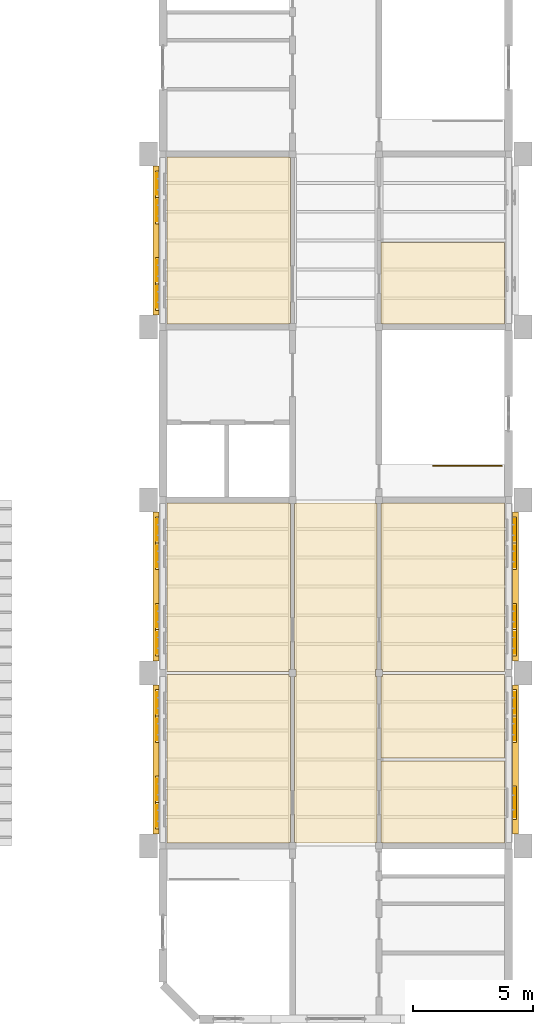
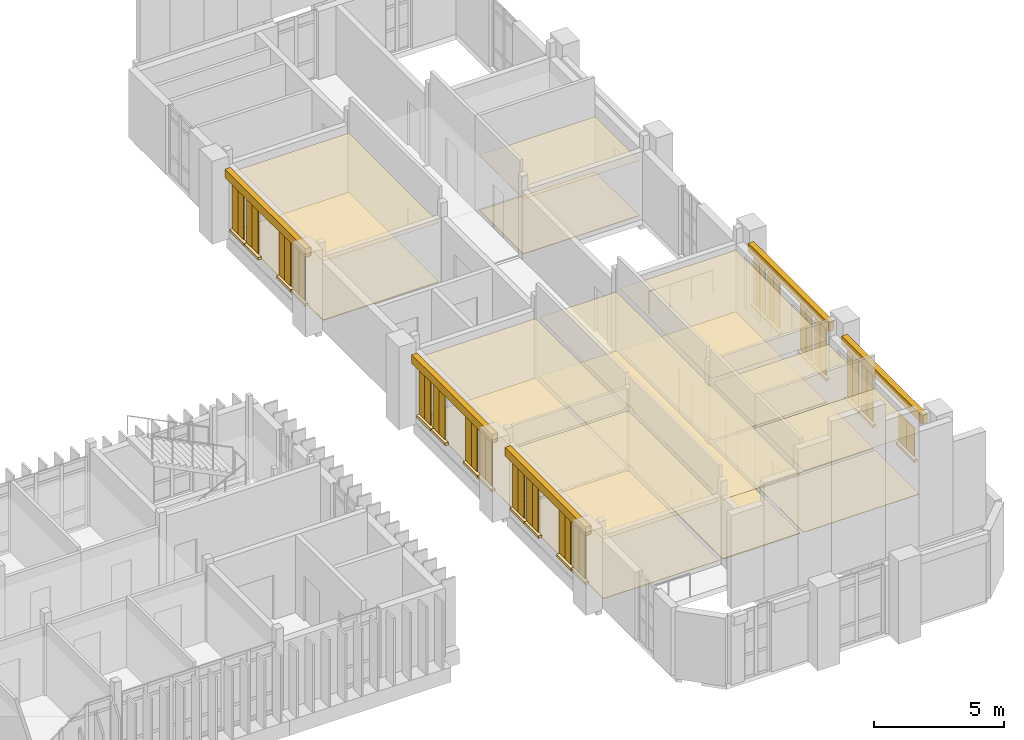
# One storey, part 66 of 71: 78 coverings, 1 railing.
"""IFC4 building model written with IfcOpenShell, lengths in metres."""

import ifcopenshell
import ifcopenshell.guid

model = None  # the IFC model being written
_history = None  # IfcOwnerHistory: only IFC2X3 demands one
_inside = {}  # id of a spatial element -> (the spatial element, [elements in it])
_under = {}  # id of a project, library or spatial element -> (it, [spatial elements below it])
_declared = {}  # id of a project -> (the project, [libraries it declares])
_typed = {}  # id of a type object -> (the type object, [elements of that type])
_made_of = {}  # id of a material, layer set ... -> (it, [elements and type objects made of it])


def new_model(schema):
    """Start an empty IFC model of exactly this schema.

    Asked for "IFC4X3", IfcOpenShell would pick the latest addendum, in which some entities
    have other attributes; the version numbers below select the first issue.
    IFC2X3 requires an IfcOwnerHistory on every rooted entity: one is made here for all.
    """
    global model, _history
    if schema == "IFC4X3":
        model = ifcopenshell.file(schema_version=(4, 3, 0, 0))
    else:
        model = ifcopenshell.file(schema=schema)
    _inside.clear()
    _under.clear()
    _declared.clear()
    _typed.clear()
    _made_of.clear()
    _history = None
    if model.schema == "IFC2X3":
        org = make("IfcOrganization", Name="unknown")
        user = make(
            "IfcPersonAndOrganization",
            ThePerson=make("IfcPerson", FamilyName="unknown"),
            TheOrganization=org,
        )
        app = make(
            "IfcApplication",
            ApplicationDeveloper=org,
            Version="unknown",
            ApplicationFullName="unknown",
            ApplicationIdentifier="unknown",
        )
        _history = make(
            "IfcOwnerHistory",
            OwningUser=user,
            OwningApplication=app,
            ChangeAction="ADDED",
            CreationDate=0,
        )
    return model


def make(cls, **values):
    """One entity of the class cls with the attributes given. An attribute that is None is left unset."""
    return model.create_entity(
        cls, **{name: value for name, value in values.items() if value is not None}
    )


def rooted(cls, **values):
    """An entity with a GlobalId (a new one), such as an element, a storey or a relation."""
    return make(cls, GlobalId=ifcopenshell.guid.new(), OwnerHistory=_history, **values)


def si_unit(unit_type, name, prefix=None):
    """IfcSIUnit, for example si_unit("LENGTHUNIT", "METRE", prefix="MILLI")."""
    return make("IfcSIUnit", UnitType=unit_type, Prefix=prefix, Name=name)


def assignment(units):
    """IfcUnitAssignment: the units of a project."""
    return None if units is None else make("IfcUnitAssignment", Units=units)


def point(xyz):
    """IfcCartesianPoint."""
    return None if xyz is None else make("IfcCartesianPoint", Coordinates=xyz)


def direction(xyz):
    """IfcDirection."""
    return None if xyz is None else make("IfcDirection", DirectionRatios=xyz)


def frame(location, z_axis=None, x_axis=None):
    """IfcAxis2Placement3D, a coordinate frame: its origin and axes. An axis left out is left unset."""
    return make(
        "IfcAxis2Placement3D",
        Location=point(location),
        Axis=direction(z_axis),
        RefDirection=direction(x_axis),
    )


def frame_2d(location, x_axis=None):
    """IfcAxis2Placement2D, a coordinate frame in the plane: its origin and x axis."""
    return make(
        "IfcAxis2Placement2D", Location=point(location), RefDirection=direction(x_axis)
    )


def origin():
    """The frame at (0, 0, 0) with its axes left unset."""
    return frame((0.0, 0.0, 0.0))


def origin_2d():
    """The frame at (0, 0) in the plane with its x axis left unset."""
    return frame_2d((0.0, 0.0))


def place(relative_to, where):
    """IfcLocalPlacement: puts the frame where relative to a parent placement (None: the world)."""
    return make(
        "IfcLocalPlacement", PlacementRelTo=relative_to, RelativePlacement=where
    )


def context(
    kind, dimensions, precision=None, world=None, true_north=None, identifier=None
):
    """IfcGeometricRepresentationContext, for example the 3D "Model" context."""
    return make(
        "IfcGeometricRepresentationContext",
        ContextIdentifier=identifier,
        ContextType=kind,
        CoordinateSpaceDimension=dimensions,
        Precision=precision,
        WorldCoordinateSystem=world,
        TrueNorth=true_north,
    )


def subcontext(parent, identifier, kind, view, scale=None):
    """IfcGeometricRepresentationSubContext, for example "Body" below "Model"."""
    return make(
        "IfcGeometricRepresentationSubContext",
        ContextIdentifier=identifier,
        ContextType=kind,
        ParentContext=parent,
        TargetScale=scale,
        TargetView=view,
    )


def project(units=None, contexts=None):
    """IfcProject with its units and contexts."""
    return rooted(
        "IfcProject",
        Name="project",
        RepresentationContexts=contexts,
        UnitsInContext=assignment(units),
    )


def spatial(cls, under=None, at=None, **own):
    """A site, building, storey or space (cls), placed at a placement, below another one or the project."""
    s = rooted(cls, ObjectPlacement=at, **own)
    if under is not None:
        _under.setdefault(under.id(), (under, []))[1].append(s)
    return s


def polyline(points):
    """IfcPolyline through the points."""
    return make("IfcPolyline", Points=[point(p) for p in points])


def profile(cls, at=None, kind="AREA", **sizes):
    """A parametric profile (cls). Its sizes go by their IFC names, for example OverallWidth=200.0."""
    return make(cls, ProfileType=kind, Position=at, **sizes)


def rectangle(**sizes):
    """IfcRectangleProfileDef."""
    return profile("IfcRectangleProfileDef", **sizes)


def circle(**sizes):
    """IfcCircleProfileDef."""
    return profile("IfcCircleProfileDef", **sizes)


def outline(outer, holes=None, kind="AREA"):
    """IfcArbitraryClosedProfileDef: a profile drawn as a closed curve; with holes, ...WithVoids."""
    if holes is None:
        return make("IfcArbitraryClosedProfileDef", ProfileType=kind, OuterCurve=outer)
    return make(
        "IfcArbitraryProfileDefWithVoids",
        ProfileType=kind,
        OuterCurve=outer,
        InnerCurves=holes,
    )


def extrude(swept, where, along, depth):
    """IfcExtrudedAreaSolid: the profile swept, set in the frame where, extruded along a direction by depth."""
    return make(
        "IfcExtrudedAreaSolid",
        SweptArea=swept,
        Position=where,
        ExtrudedDirection=direction(along),
        Depth=depth,
    )


def shape(context_of_items, identifier, shape_type, items):
    """IfcShapeRepresentation: the items that make up one representation, for example the "Body"."""
    return make(
        "IfcShapeRepresentation",
        ContextOfItems=context_of_items,
        RepresentationIdentifier=identifier,
        RepresentationType=shape_type,
        Items=items,
    )


def material(Name=None, Category=None):
    """IfcMaterial."""
    return make("IfcMaterial", Name=Name, Category=Category)


def layer(
    of_material, thickness, ventilated=None, Name=None, Category=None, Priority=None
):
    """IfcMaterialLayer: one layer of a wall or slab, of a material (None: an air gap)."""
    return make(
        "IfcMaterialLayer",
        Material=of_material,
        LayerThickness=thickness,
        IsVentilated=ventilated,
        Name=Name,
        Category=Category,
        Priority=Priority,
    )


def layer_set(layers, Name=None):
    """IfcMaterialLayerSet."""
    return make("IfcMaterialLayerSet", MaterialLayers=layers, LayerSetName=Name)


def made_of(thing, what):
    """Note that an element or type object is made of a material, layer set ...; save() writes the relation."""
    if what is not None:
        _made_of.setdefault(what.id(), (what, []))[1].append(thing)
    return thing


def type_object(cls, material=None, **own):
    """A type object (cls), such as IfcWallType, which elements share."""
    return made_of(rooted(cls, **own), material)


def element(
    cls,
    number,
    at=None,
    inside=None,
    cuts=None,
    type_object=None,
    material=None,
    context=None,
    identifier="Body",
    shape_type=None,
    held_by="IfcProductDefinitionShape",
    body=None,
    shapes=None,
    **own,
):
    """One element of the class cls, such as IfcWall. Its Tag is "e" and its number.

    at: its placement. inside: the storey or other place that contains it. cuts: it is an
    opening in that element (IfcRelVoidsElement). A single representation is given by context,
    identifier, shape_type and body (its items); several are given by shapes. held_by: the class
    of the entity that holds the representations. save() writes the other relations.
    """
    e = rooted(cls, Tag="e%d" % number, ObjectPlacement=at, **own)
    if body is not None:
        shapes = [shape(context, identifier, shape_type, body)]
    if shapes is not None:
        e.Representation = make(held_by, Representations=shapes)
    if inside is not None:
        _inside.setdefault(inside.id(), (inside, []))[1].append(e)
    if cuts is not None:
        rooted(
            "IfcRelVoidsElement", RelatingBuildingElement=cuts, RelatedOpeningElement=e
        )
    if type_object is not None:
        _typed.setdefault(type_object.id(), (type_object, []))[1].append(e)
    return made_of(e, material)


def aggregate(whole, parts):
    """IfcRelAggregates: a whole, such as a stair, and the parts it consists of."""
    return rooted("IfcRelAggregates", RelatingObject=whole, RelatedObjects=parts)


def save(model, path):
    """Write the relations noted so far, then the file.

    IfcRelAggregates (storeys below a building ...), IfcRelContainedInSpatialStructure (elements
    in a storey), IfcRelDefinesByType, IfcRelAssociatesMaterial and IfcRelDeclares: one each for
    every whole, place, type object, material and project.
    """
    for whole, parts in _under.values():
        aggregate(whole, parts)
    for where, things in _inside.values():
        rooted(
            "IfcRelContainedInSpatialStructure",
            RelatedElements=things,
            RelatingStructure=where,
        )
    for kind, things in _typed.values():
        rooted("IfcRelDefinesByType", RelatedObjects=things, RelatingType=kind)
    for what, things in _made_of.values():
        rooted("IfcRelAssociatesMaterial", RelatedObjects=things, RelatingMaterial=what)
    for by, libraries in _declared.values():
        rooted("IfcRelDeclares", RelatingContext=by, RelatedDefinitions=libraries)
    model.write(path)


model = new_model("IFC4")

# Units and contexts
model_context = context("Model", 3, precision=1e-05, world=origin(), true_north=direction((0.0, 1.0)))
body_context = subcontext(model_context, "Body", "Model", "MODEL_VIEW")
ifc_project = project(units=[si_unit("LENGTHUNIT", "METRE"), si_unit("AREAUNIT", "SQUARE_METRE"), si_unit("VOLUMEUNIT", "CUBIC_METRE"), si_unit("PLANEANGLEUNIT", "RADIAN"), si_unit("MASSUNIT", "GRAM", prefix="KILO")], contexts=[model_context])

# Site, building, storey
site_placement = place(None, origin())
site = spatial("IfcSite", under=ifc_project, at=site_placement, CompositionType="ELEMENT")
building_placement = place(site_placement, origin())
building = spatial("IfcBuilding", under=site, at=building_placement, Name="Mazhai Court Health Centre", CompositionType="ELEMENT")
storey_placement = place(building_placement, frame((0.0, 0.0, 10.199951171875)))
storey = spatial("IfcBuildingStorey", under=building, at=storey_placement, Name="L02", CompositionType="ELEMENT", Elevation=10.199951171875)

# Coverings
ifc_material_1 = material(Name="Clay brick masonry", Category="masonry")
ifc_layer_1 = layer(ifc_material_1, 0.25)
ifc_layer_set_1 = layer_set([ifc_layer_1], Name="BRICK BAND 250")
covering_type_1 = type_object("IfcCoveringType", Name="BRICK BAND 250", PredefinedType="MOLDING", material=ifc_layer_set_1)
covering_1_placement = place(storey_placement, frame((0.0, 0.0, 2.949951171875)))
element("IfcCovering", 1, at=covering_1_placement, inside=storey, type_object=covering_type_1, Name="EB-V6-L02-A1p0-0", PredefinedType="MOLDING", context=body_context, shape_type="SweptSolid", body=[
    extrude(outline(polyline([(135.635009765625, 13.89990234375), (135.635009765625, 20.10009765625), (135.385009765625, 20.10009765625), (135.385009765625, 13.89990234375), (135.635009765625, 13.89990234375)])), origin(), (0.0, 0.0, 1.0), 0.400146484375),
])
covering_2_placement = place(storey_placement, frame((0.0, 0.0, 2.949951171875)))
element("IfcCovering", 2, at=covering_2_placement, inside=storey, type_object=covering_type_1, Name="EB-V6-L02-A2p0-0", PredefinedType="MOLDING", context=body_context, shape_type="SweptSolid", body=[
    extrude(outline(polyline([(135.635009765625, 21.10009765625), (135.635009765625, 27.300048828125), (135.385009765625, 27.300048828125), (135.385009765625, 21.10009765625), (135.635009765625, 21.10009765625)])), origin(), (0.0, 0.0, 1.0), 0.400146484375),
])
covering_3_placement = place(storey_placement, frame((0.0, 0.0, 2.949951171875)))
element("IfcCovering", 3, at=covering_3_placement, inside=storey, type_object=covering_type_1, Name="EB-V6-L02-A4p0-0", PredefinedType="MOLDING", context=body_context, shape_type="SweptSolid", body=[
    extrude(outline(polyline([(135.635009765625, 35.5), (135.635009765625, 41.699951171875), (135.385009765625, 41.699951171875), (135.385009765625, 35.5), (135.635009765625, 35.5)])), origin(), (0.0, 0.0, 1.0), 0.400146484375),
])
covering_4_placement = place(storey_placement, frame((0.0, 0.0, 2.949951171875)))
element("IfcCovering", 4, at=covering_4_placement, inside=storey, type_object=covering_type_1, Name="EB-V6-L02-B1p0-0", PredefinedType="MOLDING", context=body_context, shape_type="SweptSolid", body=[
    extrude(outline(polyline([(150.364990234375, 20.10009765625), (150.364990234375, 13.89990234375), (150.614990234375, 13.89990234375), (150.614990234375, 20.10009765625), (150.364990234375, 20.10009765625)])), origin(), (0.0, 0.0, 1.0), 0.400146484375),
])
covering_5_placement = place(storey_placement, frame((0.0, 0.0, 2.949951171875)))
element("IfcCovering", 5, at=covering_5_placement, inside=storey, type_object=covering_type_1, Name="EB-V6-L02-B2p0-0", PredefinedType="MOLDING", context=body_context, shape_type="SweptSolid", body=[
    extrude(outline(polyline([(150.364990234375, 27.300048828125), (150.364990234375, 21.10009765625), (150.614990234375, 21.10009765625), (150.614990234375, 27.300048828125), (150.364990234375, 27.300048828125)])), origin(), (0.0, 0.0, 1.0), 0.400146484375),
])
ifc_material_2 = material(Name="Clay brick masonry", Category="masonry")
ifc_layer_2 = layer(ifc_material_2, 0.14990234375)
ifc_layer_set_2 = layer_set([ifc_layer_2], Name="BRICK SILL COURSE 150")
covering_type_2 = type_object("IfcCoveringType", Name="BRICK SILL COURSE 150", PredefinedType="MOLDING", material=ifc_layer_set_2)
covering_6_placement = place(storey_placement, frame((0.0, 0.0, 0.47998046875)))
element("IfcCovering", 6, at=covering_6_placement, inside=storey, type_object=covering_type_2, Name="ES-WN-V6-L02-A10a", PredefinedType="MOLDING", context=body_context, shape_type="SweptSolid", body=[
    extrude(outline(polyline([(135.635009765625, 14.10009765625), (135.635009765625, 15.199951171875), (135.485107421875, 15.199951171875), (135.485107421875, 14.10009765625), (135.635009765625, 14.10009765625)])), origin(), (0.0, 0.0, 1.0), 0.1201171875),
])
covering_7_placement = place(storey_placement, frame((0.0, 0.0, 0.47998046875)))
element("IfcCovering", 7, at=covering_7_placement, inside=storey, type_object=covering_type_2, Name="ES-WN-V6-L02-A10b", PredefinedType="MOLDING", context=body_context, shape_type="SweptSolid", body=[
    extrude(outline(polyline([(135.635009765625, 15.199951171875), (135.635009765625, 16.300048828125), (135.485107421875, 16.300048828125), (135.485107421875, 15.199951171875), (135.635009765625, 15.199951171875)])), origin(), (0.0, 0.0, 1.0), 0.1201171875),
])
covering_8_placement = place(storey_placement, frame((0.0, 0.0, 0.47998046875)))
element("IfcCovering", 8, at=covering_8_placement, inside=storey, type_object=covering_type_2, Name="ES-WN-V6-L02-A11a", PredefinedType="MOLDING", context=body_context, shape_type="SweptSolid", body=[
    extrude(outline(polyline([(135.635009765625, 17.699951171875), (135.635009765625, 18.800048828125), (135.485107421875, 18.800048828125), (135.485107421875, 17.699951171875), (135.635009765625, 17.699951171875)])), origin(), (0.0, 0.0, 1.0), 0.1201171875),
])
covering_9_placement = place(storey_placement, frame((0.0, 0.0, 0.47998046875)))
element("IfcCovering", 9, at=covering_9_placement, inside=storey, type_object=covering_type_2, Name="ES-WN-V6-L02-A11b", PredefinedType="MOLDING", context=body_context, shape_type="SweptSolid", body=[
    extrude(outline(polyline([(135.635009765625, 18.800048828125), (135.635009765625, 19.89990234375), (135.485107421875, 19.89990234375), (135.485107421875, 18.800048828125), (135.635009765625, 18.800048828125)])), origin(), (0.0, 0.0, 1.0), 0.1201171875),
])
covering_10_placement = place(storey_placement, frame((0.0, 0.0, 0.47998046875)))
element("IfcCovering", 10, at=covering_10_placement, inside=storey, type_object=covering_type_2, Name="ES-WN-V6-L02-A20a", PredefinedType="MOLDING", context=body_context, shape_type="SweptSolid", body=[
    extrude(outline(polyline([(135.635009765625, 21.300048828125), (135.635009765625, 22.39990234375), (135.485107421875, 22.39990234375), (135.485107421875, 21.300048828125), (135.635009765625, 21.300048828125)])), origin(), (0.0, 0.0, 1.0), 0.1201171875),
])
covering_11_placement = place(storey_placement, frame((0.0, 0.0, 0.47998046875)))
element("IfcCovering", 11, at=covering_11_placement, inside=storey, type_object=covering_type_2, Name="ES-WN-V6-L02-A20b", PredefinedType="MOLDING", context=body_context, shape_type="SweptSolid", body=[
    extrude(outline(polyline([(135.635009765625, 22.39990234375), (135.635009765625, 23.5), (135.485107421875, 23.5), (135.485107421875, 22.39990234375), (135.635009765625, 22.39990234375)])), origin(), (0.0, 0.0, 1.0), 0.1201171875),
])
covering_12_placement = place(storey_placement, frame((0.0, 0.0, 0.47998046875)))
element("IfcCovering", 12, at=covering_12_placement, inside=storey, type_object=covering_type_2, Name="ES-WN-V6-L02-A21a", PredefinedType="MOLDING", context=body_context, shape_type="SweptSolid", body=[
    extrude(outline(polyline([(135.635009765625, 24.89990234375), (135.635009765625, 26.0), (135.485107421875, 26.0), (135.485107421875, 24.89990234375), (135.635009765625, 24.89990234375)])), origin(), (0.0, 0.0, 1.0), 0.1201171875),
])
covering_13_placement = place(storey_placement, frame((0.0, 0.0, 0.47998046875)))
element("IfcCovering", 13, at=covering_13_placement, inside=storey, type_object=covering_type_2, Name="ES-WN-V6-L02-A21b", PredefinedType="MOLDING", context=body_context, shape_type="SweptSolid", body=[
    extrude(outline(polyline([(135.635009765625, 26.0), (135.635009765625, 27.10009765625), (135.485107421875, 27.10009765625), (135.485107421875, 26.0), (135.635009765625, 26.0)])), origin(), (0.0, 0.0, 1.0), 0.1201171875),
])
covering_14_placement = place(storey_placement, frame((0.0, 0.0, 0.47998046875)))
element("IfcCovering", 14, at=covering_14_placement, inside=storey, type_object=covering_type_2, Name="ES-WN-V6-L02-A40a", PredefinedType="MOLDING", context=body_context, shape_type="SweptSolid", body=[
    extrude(outline(polyline([(135.635009765625, 35.699951171875), (135.635009765625, 36.800048828125), (135.485107421875, 36.800048828125), (135.485107421875, 35.699951171875), (135.635009765625, 35.699951171875)])), origin(), (0.0, 0.0, 1.0), 0.1201171875),
])
covering_15_placement = place(storey_placement, frame((0.0, 0.0, 0.47998046875)))
element("IfcCovering", 15, at=covering_15_placement, inside=storey, type_object=covering_type_2, Name="ES-WN-V6-L02-A40b", PredefinedType="MOLDING", context=body_context, shape_type="SweptSolid", body=[
    extrude(outline(polyline([(135.635009765625, 36.800048828125), (135.635009765625, 37.89990234375), (135.485107421875, 37.89990234375), (135.485107421875, 36.800048828125), (135.635009765625, 36.800048828125)])), origin(), (0.0, 0.0, 1.0), 0.1201171875),
])
covering_16_placement = place(storey_placement, frame((0.0, 0.0, 0.47998046875)))
element("IfcCovering", 16, at=covering_16_placement, inside=storey, type_object=covering_type_2, Name="ES-WN-V6-L02-A41a", PredefinedType="MOLDING", context=body_context, shape_type="SweptSolid", body=[
    extrude(outline(polyline([(135.635009765625, 39.300048828125), (135.635009765625, 40.39990234375), (135.485107421875, 40.39990234375), (135.485107421875, 39.300048828125), (135.635009765625, 39.300048828125)])), origin(), (0.0, 0.0, 1.0), 0.1201171875),
])
covering_17_placement = place(storey_placement, frame((0.0, 0.0, 0.47998046875)))
element("IfcCovering", 17, at=covering_17_placement, inside=storey, type_object=covering_type_2, Name="ES-WN-V6-L02-A41b", PredefinedType="MOLDING", context=body_context, shape_type="SweptSolid", body=[
    extrude(outline(polyline([(135.635009765625, 40.39990234375), (135.635009765625, 41.5), (135.485107421875, 41.5), (135.485107421875, 40.39990234375), (135.635009765625, 40.39990234375)])), origin(), (0.0, 0.0, 1.0), 0.1201171875),
])
covering_18_placement = place(storey_placement, frame((0.0, 0.0, 0.780029296875)))
element("IfcCovering", 18, at=covering_18_placement, inside=storey, type_object=covering_type_2, Name="ES-WN-V6-L02-B10", PredefinedType="MOLDING", context=body_context, shape_type="SweptSolid", body=[
    extrude(outline(polyline([(150.364990234375, 15.89990234375), (150.364990234375, 14.5), (150.514892578125, 14.5), (150.514892578125, 15.89990234375), (150.364990234375, 15.89990234375)])), origin(), (0.0, 0.0, 1.0), 0.1201171875),
])
covering_19_placement = place(storey_placement, frame((0.0, 0.0, 0.47998046875)))
element("IfcCovering", 19, at=covering_19_placement, inside=storey, type_object=covering_type_2, Name="ES-WN-V6-L02-B11a", PredefinedType="MOLDING", context=body_context, shape_type="SweptSolid", body=[
    extrude(outline(polyline([(150.364990234375, 18.800048828125), (150.364990234375, 17.699951171875), (150.514892578125, 17.699951171875), (150.514892578125, 18.800048828125), (150.364990234375, 18.800048828125)])), origin(), (0.0, 0.0, 1.0), 0.1201171875),
])
covering_20_placement = place(storey_placement, frame((0.0, 0.0, 0.47998046875)))
element("IfcCovering", 20, at=covering_20_placement, inside=storey, type_object=covering_type_2, Name="ES-WN-V6-L02-B11b", PredefinedType="MOLDING", context=body_context, shape_type="SweptSolid", body=[
    extrude(outline(polyline([(150.364990234375, 19.89990234375), (150.364990234375, 18.800048828125), (150.514892578125, 18.800048828125), (150.514892578125, 19.89990234375), (150.364990234375, 19.89990234375)])), origin(), (0.0, 0.0, 1.0), 0.1201171875),
])
covering_21_placement = place(storey_placement, frame((0.0, 0.0, 0.47998046875)))
element("IfcCovering", 21, at=covering_21_placement, inside=storey, type_object=covering_type_2, Name="ES-WN-V6-L02-B20a", PredefinedType="MOLDING", context=body_context, shape_type="SweptSolid", body=[
    extrude(outline(polyline([(150.364990234375, 22.39990234375), (150.364990234375, 21.300048828125), (150.514892578125, 21.300048828125), (150.514892578125, 22.39990234375), (150.364990234375, 22.39990234375)])), origin(), (0.0, 0.0, 1.0), 0.1201171875),
])
covering_22_placement = place(storey_placement, frame((0.0, 0.0, 0.47998046875)))
element("IfcCovering", 22, at=covering_22_placement, inside=storey, type_object=covering_type_2, Name="ES-WN-V6-L02-B20b", PredefinedType="MOLDING", context=body_context, shape_type="SweptSolid", body=[
    extrude(outline(polyline([(150.364990234375, 23.5), (150.364990234375, 22.39990234375), (150.514892578125, 22.39990234375), (150.514892578125, 23.5), (150.364990234375, 23.5)])), origin(), (0.0, 0.0, 1.0), 0.1201171875),
])
covering_23_placement = place(storey_placement, frame((0.0, 0.0, 0.47998046875)))
element("IfcCovering", 23, at=covering_23_placement, inside=storey, type_object=covering_type_2, Name="ES-WN-V6-L02-B21a", PredefinedType="MOLDING", context=body_context, shape_type="SweptSolid", body=[
    extrude(outline(polyline([(150.364990234375, 26.0), (150.364990234375, 24.89990234375), (150.514892578125, 24.89990234375), (150.514892578125, 26.0), (150.364990234375, 26.0)])), origin(), (0.0, 0.0, 1.0), 0.1201171875),
])
covering_24_placement = place(storey_placement, frame((0.0, 0.0, 0.47998046875)))
element("IfcCovering", 24, at=covering_24_placement, inside=storey, type_object=covering_type_2, Name="ES-WN-V6-L02-B21b", PredefinedType="MOLDING", context=body_context, shape_type="SweptSolid", body=[
    extrude(outline(polyline([(150.364990234375, 27.10009765625), (150.364990234375, 26.0), (150.514892578125, 26.0), (150.514892578125, 27.10009765625), (150.364990234375, 27.10009765625)])), origin(), (0.0, 0.0, 1.0), 0.1201171875),
])
ifc_material_3 = material(Name="Gypsum plasterboard ceiling")
ifc_layer_3 = layer(ifc_material_3, 0.02001953125)
ifc_layer_set_3 = layer_set([ifc_layer_3], Name="CEILING GYPSUM BOARD 20")
covering_type_3 = type_object("IfcCoveringType", Name="CEILING GYPSUM BOARD 20", PredefinedType="CEILING", material=ifc_layer_set_3)
covering_25_placement = place(storey_placement, frame((0.0, 0.0, 2.800048828125)))
element("IfcCovering", 25, at=covering_25_placement, inside=storey, type_object=covering_type_3, Name="ceil-V6-L02-A0-community-learning-room", PredefinedType="CEILING", context=body_context, shape_type="SweptSolid", body=[
    extrude(outline(polyline([(141.125, 20.4599609375), (141.06005859375, 20.4599609375), (141.06005859375, 20.53759765625), (135.965087890625, 20.53759765625), (135.965087890625, 13.52490234375), (141.06005859375, 13.52490234375), (141.06005859375, 13.5400390625), (141.125, 13.5400390625), (141.125, 20.4599609375)])), origin(), (0.0, 0.0, 1.0), 0.02001953125),
])
covering_26_placement = place(storey_placement, frame((0.0, 0.0, 2.800048828125)))
element("IfcCovering", 26, at=covering_26_placement, inside=storey, type_object=covering_type_3, Name="ceil-V6-L02-A0-parenting-class-room", PredefinedType="CEILING", context=body_context, shape_type="SweptSolid", body=[
    extrude(outline(polyline([(141.125, 27.659912109375), (141.06005859375, 27.659912109375), (141.06005859375, 27.675048828125), (135.965087890625, 27.675048828125), (135.965087890625, 20.66259765625), (141.06005859375, 20.66259765625), (141.06005859375, 20.739990234375), (141.125, 20.739990234375), (141.125, 27.659912109375)])), origin(), (0.0, 0.0, 1.0), 0.02001953125),
])
covering_27_placement = place(storey_placement, frame((0.0, 0.0, 2.900146484375)))
element("IfcCovering", 27, at=covering_27_placement, inside=storey, type_object=covering_type_3, Name="ceil-V6-L02-B0-health-promotion-office", PredefinedType="CEILING", context=body_context, shape_type="SweptSolid", body=[
    extrude(outline(polyline([(144.875, 13.5400390625), (144.93994140625, 13.5400390625), (144.93994140625, 13.52490234375), (150.034912109375, 13.52490234375), (150.034912109375, 16.9375), (144.875, 16.9375), (144.875, 13.5400390625)])), origin(), (0.0, 0.0, 1.0), 0.02001953125),
])
covering_28_placement = place(storey_placement, frame((0.0, 0.0, 2.800048828125)))
element("IfcCovering", 28, at=covering_28_placement, inside=storey, type_object=covering_type_3, Name="ceil-V6-L02-B0-volunteer-room", PredefinedType="CEILING", context=body_context, shape_type="SweptSolid", body=[
    extrude(outline(polyline([(144.93994140625, 20.53759765625), (144.93994140625, 20.4599609375), (144.875, 20.4599609375), (144.875, 17.0625), (150.034912109375, 17.0625), (150.034912109375, 20.53759765625), (144.93994140625, 20.53759765625)])), origin(), (0.0, 0.0, 1.0), 0.02001953125),
])
covering_29_placement = place(storey_placement, frame((0.0, 0.0, 2.900146484375)))
element("IfcCovering", 29, at=covering_29_placement, inside=storey, type_object=covering_type_3, Name="ceil-V6-L02-B0-community-meeting-room", PredefinedType="CEILING", context=body_context, shape_type="SweptSolid", body=[
    extrude(outline(polyline([(144.93994140625, 27.675048828125), (144.93994140625, 27.659912109375), (144.875, 27.659912109375), (144.875, 20.739990234375), (144.93994140625, 20.739990234375), (144.93994140625, 20.66259765625), (150.034912109375, 20.66259765625), (150.034912109375, 27.675048828125), (144.93994140625, 27.675048828125)])), origin(), (0.0, 0.0, 1.0), 0.02001953125),
])
covering_30_placement = place(storey_placement, frame((0.0, 0.0, 2.60009765625)))
element("IfcCovering", 30, at=covering_30_placement, inside=storey, type_object=covering_type_3, Name="ceil-V6-L02-B1-records-room", PredefinedType="CEILING", context=body_context, shape_type="SweptSolid", body=[
    extrude(outline(polyline([(144.875, 35.139892578125), (144.93994140625, 35.139892578125), (144.93994140625, 35.125), (150.034912109375, 35.125), (150.034912109375, 38.52490234375), (144.875, 38.52490234375), (144.875, 35.139892578125)])), origin(), (0.0, 0.0, 1.0), 0.02001953125),
])
ifc_material_4 = material(Name="Mineral fibre ceiling tile")
ifc_layer_4 = layer(ifc_material_4, 0.014892578125)
ifc_layer_set_4 = layer_set([ifc_layer_4], Name="CEILING MINERAL FIBRE TILE 15")
covering_type_4 = type_object("IfcCoveringType", Name="CEILING MINERAL FIBRE TILE 15", PredefinedType="CEILING", material=ifc_layer_set_4)
covering_31_placement = place(storey_placement, frame((0.0, 0.0, 2.800048828125)))
element("IfcCovering", 31, at=covering_31_placement, inside=storey, type_object=covering_type_4, Name="ceil-V6-L02-corridor-0", PredefinedType="CEILING", context=body_context, shape_type="SweptSolid", body=[
    extrude(outline(polyline([(144.659912109375, 13.52490234375), (144.659912109375, 13.5400390625), (144.72509765625, 13.5400390625), (144.72509765625, 20.4599609375), (144.659912109375, 20.4599609375), (144.659912109375, 20.739990234375), (144.72509765625, 20.739990234375), (144.72509765625, 27.659912109375), (144.659912109375, 27.659912109375), (144.659912109375, 27.675048828125), (141.340087890625, 27.675048828125), (141.340087890625, 27.659912109375), (141.27490234375, 27.659912109375), (141.27490234375, 20.739990234375), (141.340087890625, 20.739990234375), (141.340087890625, 20.4599609375), (141.27490234375, 20.4599609375), (141.27490234375, 13.5400390625), (141.340087890625, 13.5400390625), (141.340087890625, 13.52490234375), (144.659912109375, 13.52490234375)])), origin(), (0.0, 0.0, 1.0), 0.014892578125),
])
ifc_material_5 = material(Name="Moisture resistant gypsum ceiling")
ifc_layer_5 = layer(ifc_material_5, 0.014892578125)
ifc_layer_set_5 = layer_set([ifc_layer_5], Name="CEILING MOISTURE RESISTANT BOARD 15")
covering_type_5 = type_object("IfcCoveringType", Name="CEILING MOISTURE RESISTANT BOARD 15", PredefinedType="CEILING", material=ifc_layer_set_5)
covering_32_placement = place(storey_placement, frame((0.0, 0.0, 2.800048828125)))
element("IfcCovering", 32, at=covering_32_placement, inside=storey, type_object=covering_type_5, Name="ceil-V6-L02-A1-nutrition-demonstration-kitchen", PredefinedType="CEILING", context=body_context, shape_type="SweptSolid", body=[
    extrude(outline(polyline([(141.125, 42.06005859375), (141.06005859375, 42.06005859375), (141.06005859375, 42.074951171875), (135.965087890625, 42.074951171875), (135.965087890625, 35.125), (141.06005859375, 35.125), (141.06005859375, 35.139892578125), (141.125, 35.139892578125), (141.125, 42.06005859375)])), origin(), (0.0, 0.0, 1.0), 0.014892578125),
])
ifc_material_6 = material(Name="Heavy duty vinyl flooring")
ifc_layer_6 = layer(ifc_material_6, 0.02001953125)
ifc_layer_set_6 = layer_set([ifc_layer_6], Name="FLOOR FINISH HEAVY DUTY VINYL FLOORING 20")
covering_type_6 = type_object("IfcCoveringType", Name="FLOOR FINISH HEAVY DUTY VINYL FLOORING 20", PredefinedType="FLOORING", material=ifc_layer_set_6)
covering_33_placement = place(storey_placement, origin())
element("IfcCovering", 33, at=covering_33_placement, inside=storey, type_object=covering_type_6, Name="floor-V6-L02-A0-community-learning-room", PredefinedType="FLOORING", context=body_context, shape_type="SweptSolid", body=[
    extrude(outline(polyline([(141.125, 20.4599609375), (141.06005859375, 20.4599609375), (141.06005859375, 20.53759765625), (135.965087890625, 20.53759765625), (135.965087890625, 13.52490234375), (141.06005859375, 13.52490234375), (141.06005859375, 13.5400390625), (141.125, 13.5400390625), (141.125, 20.4599609375)])), origin(), (0.0, 0.0, 1.0), 0.02001953125),
])
covering_34_placement = place(storey_placement, origin())
element("IfcCovering", 34, at=covering_34_placement, inside=storey, type_object=covering_type_6, Name="floor-V6-L02-A0-parenting-class-room", PredefinedType="FLOORING", context=body_context, shape_type="SweptSolid", body=[
    extrude(outline(polyline([(141.125, 27.659912109375), (141.06005859375, 27.659912109375), (141.06005859375, 27.675048828125), (135.965087890625, 27.675048828125), (135.965087890625, 20.66259765625), (141.06005859375, 20.66259765625), (141.06005859375, 20.739990234375), (141.125, 20.739990234375), (141.125, 27.659912109375)])), origin(), (0.0, 0.0, 1.0), 0.02001953125),
])
covering_35_placement = place(storey_placement, origin())
element("IfcCovering", 35, at=covering_35_placement, inside=storey, type_object=covering_type_6, Name="floor-V6-L02-B0-volunteer-room", PredefinedType="FLOORING", context=body_context, shape_type="SweptSolid", body=[
    extrude(outline(polyline([(144.93994140625, 20.53759765625), (144.93994140625, 20.4599609375), (144.875, 20.4599609375), (144.875, 17.0625), (150.034912109375, 17.0625), (150.034912109375, 20.53759765625), (144.93994140625, 20.53759765625)])), origin(), (0.0, 0.0, 1.0), 0.02001953125),
])
covering_36_placement = place(storey_placement, origin())
element("IfcCovering", 36, at=covering_36_placement, inside=storey, type_object=covering_type_6, Name="floor-V6-L02-B1-records-room", PredefinedType="FLOORING", context=body_context, shape_type="SweptSolid", body=[
    extrude(outline(polyline([(144.875, 35.139892578125), (144.93994140625, 35.139892578125), (144.93994140625, 35.125), (150.034912109375, 35.125), (150.034912109375, 38.52490234375), (144.875, 38.52490234375), (144.875, 35.139892578125)])), origin(), (0.0, 0.0, 1.0), 0.02001953125),
])
ifc_material_7 = material(Name="Linoleum flooring")
ifc_layer_7 = layer(ifc_material_7, 0.02001953125)
ifc_layer_set_7 = layer_set([ifc_layer_7], Name="FLOOR FINISH LINOLEUM FLOORING 20")
covering_type_7 = type_object("IfcCoveringType", Name="FLOOR FINISH LINOLEUM FLOORING 20", PredefinedType="FLOORING", material=ifc_layer_set_7)
covering_37_placement = place(storey_placement, origin())
element("IfcCovering", 37, at=covering_37_placement, inside=storey, type_object=covering_type_7, Name="floor-V6-L02-B0-health-promotion-office", PredefinedType="FLOORING", context=body_context, shape_type="SweptSolid", body=[
    extrude(outline(polyline([(144.875, 13.5400390625), (144.93994140625, 13.5400390625), (144.93994140625, 13.52490234375), (150.034912109375, 13.52490234375), (150.034912109375, 16.9375), (144.875, 16.9375), (144.875, 13.5400390625)])), origin(), (0.0, 0.0, 1.0), 0.02001953125),
])
covering_38_placement = place(storey_placement, origin())
element("IfcCovering", 38, at=covering_38_placement, inside=storey, type_object=covering_type_7, Name="floor-V6-L02-B0-community-meeting-room", PredefinedType="FLOORING", context=body_context, shape_type="SweptSolid", body=[
    extrude(outline(polyline([(144.93994140625, 27.675048828125), (144.93994140625, 27.659912109375), (144.875, 27.659912109375), (144.875, 20.739990234375), (144.93994140625, 20.739990234375), (144.93994140625, 20.66259765625), (150.034912109375, 20.66259765625), (150.034912109375, 27.675048828125), (144.93994140625, 27.675048828125)])), origin(), (0.0, 0.0, 1.0), 0.02001953125),
])
ifc_material_8 = material(Name="Quarry tile flooring")
ifc_layer_8 = layer(ifc_material_8, 0.030029296875)
ifc_layer_set_8 = layer_set([ifc_layer_8], Name="FLOOR FINISH QUARRY TILE FLOORING 30")
covering_type_8 = type_object("IfcCoveringType", Name="FLOOR FINISH QUARRY TILE FLOORING 30", PredefinedType="FLOORING", material=ifc_layer_set_8)
covering_39_placement = place(storey_placement, origin())
element("IfcCovering", 39, at=covering_39_placement, inside=storey, type_object=covering_type_8, Name="floor-V6-L02-A1-nutrition-demonstration-kitchen", PredefinedType="FLOORING", context=body_context, shape_type="SweptSolid", body=[
    extrude(outline(polyline([(141.125, 42.06005859375), (141.06005859375, 42.06005859375), (141.06005859375, 42.074951171875), (135.965087890625, 42.074951171875), (135.965087890625, 35.125), (141.06005859375, 35.125), (141.06005859375, 35.139892578125), (141.125, 35.139892578125), (141.125, 42.06005859375)])), origin(), (0.0, 0.0, 1.0), 0.030029296875),
])
ifc_material_9 = material(Name="Terrazzo flooring")
ifc_layer_9 = layer(ifc_material_9, 0.0400390625)
ifc_layer_set_9 = layer_set([ifc_layer_9], Name="FLOOR FINISH TERRAZZO FLOORING 40")
covering_type_9 = type_object("IfcCoveringType", Name="FLOOR FINISH TERRAZZO FLOORING 40", PredefinedType="FLOORING", material=ifc_layer_set_9)
covering_40_placement = place(storey_placement, origin())
element("IfcCovering", 40, at=covering_40_placement, inside=storey, type_object=covering_type_9, Name="floor-V6-L02-corridor-0", PredefinedType="FLOORING", context=body_context, shape_type="SweptSolid", body=[
    extrude(outline(polyline([(144.659912109375, 13.52490234375), (144.659912109375, 13.5400390625), (144.72509765625, 13.5400390625), (144.72509765625, 20.4599609375), (144.659912109375, 20.4599609375), (144.659912109375, 20.739990234375), (144.72509765625, 20.739990234375), (144.72509765625, 27.659912109375), (144.659912109375, 27.659912109375), (144.659912109375, 27.675048828125), (141.340087890625, 27.675048828125), (141.340087890625, 27.659912109375), (141.27490234375, 27.659912109375), (141.27490234375, 20.739990234375), (141.340087890625, 20.739990234375), (141.340087890625, 20.4599609375), (141.27490234375, 20.4599609375), (141.27490234375, 13.5400390625), (141.340087890625, 13.5400390625), (141.340087890625, 13.52490234375), (144.659912109375, 13.52490234375)])), origin(), (0.0, 0.0, 1.0), 0.0400390625),
])
ifc_material_10 = material(Name="Aluminium louvre", Category="aluminium")
ifc_layer_10 = layer(ifc_material_10, 0.0400390625)
ifc_layer_set_10 = layer_set([ifc_layer_10], Name="SHUTTER LEAF 600x40")
covering_type_10 = type_object("IfcCoveringType", Name="SHUTTER LEAF 600x40", PredefinedType="CLADDING", material=ifc_layer_set_10)
for number, where, z_axis, x_axis, name in (
    (41, (135.554931640625, 14.425048828125, 0.7001953125), (0.0, 0.0, 1.0), (0.0, 1.0, 0.0), "LV-V6-L02-A10aa"),
    (42, (135.554931640625, 14.875, 0.7001953125), (0.0, 0.0, 1.0), (0.0, 1.0, 0.0), "LV-V6-L02-A10ab"),
    (43, (135.554931640625, 15.52490234375, 0.7001953125), (0.0, 0.0, 1.0), (0.0, 1.0, 0.0), "LV-V6-L02-A10ba"),
    (44, (135.554931640625, 15.97509765625, 0.7001953125), (0.0, 0.0, 1.0), (0.0, 1.0, 0.0), "LV-V6-L02-A10bb"),
    (45, (135.554931640625, 18.02490234375, 0.7001953125), (0.0, 0.0, 1.0), (0.0, 1.0, 0.0), "LV-V6-L02-A11aa"),
    (46, (135.554931640625, 18.47509765625, 0.7001953125), (0.0, 0.0, 1.0), (0.0, 1.0, 0.0), "LV-V6-L02-A11ab"),
    (47, (135.554931640625, 19.125, 0.7001953125), (0.0, 0.0, 1.0), (0.0, 1.0, 0.0), "LV-V6-L02-A11ba"),
    (48, (135.554931640625, 19.574951171875, 0.7001953125), (0.0, 0.0, 1.0), (0.0, 1.0, 0.0), "LV-V6-L02-A11bb"),
    (49, (135.554931640625, 21.625, 0.7001953125), (0.0, 0.0, 1.0), (0.0, 1.0, 0.0), "LV-V6-L02-A20aa"),
    (50, (135.554931640625, 22.074951171875, 0.7001953125), (0.0, 0.0, 1.0), (0.0, 1.0, 0.0), "LV-V6-L02-A20ab"),
    (51, (135.554931640625, 22.72509765625, 0.7001953125), (0.0, 0.0, 1.0), (0.0, 1.0, 0.0), "LV-V6-L02-A20ba"),
    (52, (135.554931640625, 23.175048828125, 0.7001953125), (0.0, 0.0, 1.0), (0.0, 1.0, 0.0), "LV-V6-L02-A20bb"),
    (53, (135.554931640625, 25.22509765625, 0.7001953125), (0.0, 0.0, 1.0), (0.0, 1.0, 0.0), "LV-V6-L02-A21aa"),
    (54, (135.554931640625, 25.675048828125, 0.7001953125), (0.0, 0.0, 1.0), (0.0, 1.0, 0.0), "LV-V6-L02-A21ab"),
    (55, (135.554931640625, 26.324951171875, 0.7001953125), (0.0, 0.0, 1.0), (0.0, 1.0, 0.0), "LV-V6-L02-A21ba"),
    (56, (135.554931640625, 26.77490234375, 0.7001953125), (0.0, 0.0, 1.0), (0.0, 1.0, 0.0), "LV-V6-L02-A21bb"),
    (57, (135.554931640625, 36.02490234375, 0.7001953125), (0.0, 0.0, 1.0), (0.0, 1.0, 0.0), "LV-V6-L02-A40aa"),
    (58, (135.554931640625, 36.47509765625, 0.7001953125), (0.0, 0.0, 1.0), (0.0, 1.0, 0.0), "LV-V6-L02-A40ab"),
    (59, (135.554931640625, 37.125, 0.7001953125), (0.0, 0.0, 1.0), (0.0, 1.0, 0.0), "LV-V6-L02-A40ba"),
    (60, (135.554931640625, 37.574951171875, 0.7001953125), (0.0, 0.0, 1.0), (0.0, 1.0, 0.0), "LV-V6-L02-A40bb"),
    (61, (135.554931640625, 39.625, 0.7001953125), (0.0, 0.0, 1.0), (0.0, 1.0, 0.0), "LV-V6-L02-A41aa"),
    (62, (135.554931640625, 40.074951171875, 0.7001953125), (0.0, 0.0, 1.0), (0.0, 1.0, 0.0), "LV-V6-L02-A41ab"),
    (63, (135.554931640625, 40.72509765625, 0.7001953125), (0.0, 0.0, 1.0), (0.0, 1.0, 0.0), "LV-V6-L02-A41ba"),
    (64, (135.554931640625, 41.175048828125, 0.7001953125), (0.0, 0.0, 1.0), (0.0, 1.0, 0.0), "LV-V6-L02-A41bb"),
):
    element("IfcCovering", number, at=place(storey_placement, frame(where, z_axis=z_axis, x_axis=x_axis)), inside=storey, type_object=covering_type_10, Name=name, PredefinedType="CLADDING", context=body_context, shape_type="SweptSolid", body=[
        extrude(rectangle(XDim=0.449951171875, YDim=0.0400390625, at=origin_2d()), origin(), (0.0, 0.0, 1.0), 2.199951171875),
    ])
for number, where, z_axis, x_axis, name in (
    (65, (150.445068359375, 14.89990234375, 1.0), (0.0, 0.0, 1.0), (0.0, 1.0, 0.0), "LV-V6-L02-B10a"),
    (66, (150.445068359375, 15.5, 1.0), (0.0, 0.0, 1.0), (0.0, 1.0, 0.0), "LV-V6-L02-B10b"),
):
    element("IfcCovering", number, at=place(storey_placement, frame(where, z_axis=z_axis, x_axis=x_axis)), inside=storey, type_object=covering_type_10, Name=name, PredefinedType="CLADDING", context=body_context, shape_type="SweptSolid", body=[
        extrude(rectangle(XDim=0.60009765625, YDim=0.0400390625, at=origin_2d()), origin(), (0.0, 0.0, 1.0), 1.300048828125),
    ])
for number, where, z_axis, x_axis, name in (
    (67, (150.445068359375, 18.02490234375, 0.7001953125), (0.0, 0.0, 1.0), (0.0, 1.0, 0.0), "LV-V6-L02-B11aa"),
    (68, (150.445068359375, 18.47509765625, 0.7001953125), (0.0, 0.0, 1.0), (0.0, 1.0, 0.0), "LV-V6-L02-B11ab"),
    (69, (150.445068359375, 19.125, 0.7001953125), (0.0, 0.0, 1.0), (0.0, 1.0, 0.0), "LV-V6-L02-B11ba"),
    (70, (150.445068359375, 19.574951171875, 0.7001953125), (0.0, 0.0, 1.0), (0.0, 1.0, 0.0), "LV-V6-L02-B11bb"),
    (71, (150.445068359375, 21.625, 0.7001953125), (0.0, 0.0, 1.0), (0.0, 1.0, 0.0), "LV-V6-L02-B20aa"),
    (72, (150.445068359375, 22.074951171875, 0.7001953125), (0.0, 0.0, 1.0), (0.0, 1.0, 0.0), "LV-V6-L02-B20ab"),
    (73, (150.445068359375, 22.72509765625, 0.7001953125), (0.0, 0.0, 1.0), (0.0, 1.0, 0.0), "LV-V6-L02-B20ba"),
    (74, (150.445068359375, 23.175048828125, 0.7001953125), (0.0, 0.0, 1.0), (0.0, 1.0, 0.0), "LV-V6-L02-B20bb"),
    (75, (150.445068359375, 25.22509765625, 0.7001953125), (0.0, 0.0, 1.0), (0.0, 1.0, 0.0), "LV-V6-L02-B21aa"),
    (76, (150.445068359375, 25.675048828125, 0.7001953125), (0.0, 0.0, 1.0), (0.0, 1.0, 0.0), "LV-V6-L02-B21ab"),
    (77, (150.445068359375, 26.324951171875, 0.7001953125), (0.0, 0.0, 1.0), (0.0, 1.0, 0.0), "LV-V6-L02-B21ba"),
    (78, (150.445068359375, 26.77490234375, 0.7001953125), (0.0, 0.0, 1.0), (0.0, 1.0, 0.0), "LV-V6-L02-B21bb"),
):
    element("IfcCovering", number, at=place(storey_placement, frame(where, z_axis=z_axis, x_axis=x_axis)), inside=storey, type_object=covering_type_10, Name=name, PredefinedType="CLADDING", context=body_context, shape_type="SweptSolid", body=[
        extrude(rectangle(XDim=0.449951171875, YDim=0.0400390625, at=origin_2d()), origin(), (0.0, 0.0, 1.0), 2.199951171875),
    ])

# Railing
ifc_material_11 = material(Name="Steel IS 2062 E250", Category="steel")
railing_type = type_object("IfcRailingType", Name="STAIR GUARD 1100", PredefinedType="GUARDRAIL", material=ifc_material_11)
railing_placement = place(storey_placement, frame((149.905029296875, 29.22509765625, 0.0)))
element("IfcRailing", 79, at=railing_placement, inside=storey, type_object=railing_type, Name="L02 ST9 top well guard 1", PredefinedType="GUARDRAIL", context=body_context, shape_type="SweptSolid", body=[
    extrude(circle(Radius=0.02392578125, at=origin_2d()), frame((0.0, 0.0, 1.076171875), z_axis=(-1.0, 0.0, 0.0), x_axis=(0.0, -1.0, 0.0)), (0.0, 0.0, 1.0), 2.85009765625),
    extrude(circle(Radius=0.02099609375, at=origin_2d()), origin(), (0.0, 0.0, 1.0), 1.052001953125),
    extrude(circle(Radius=0.02099609375, at=origin_2d()), frame((-0.949951171875, 0.0, 0.0)), (0.0, 0.0, 1.0), 1.052001953125),
    extrude(circle(Radius=0.02099609375, at=origin_2d()), frame((-1.900146484375, 0.0, 0.0)), (0.0, 0.0, 1.0), 1.052001953125),
    extrude(circle(Radius=0.02099609375, at=origin_2d()), frame((-2.85009765625, 0.0, 0.0)), (0.0, 0.0, 1.0), 1.052001953125),
])

save(model, "model.ifc")
